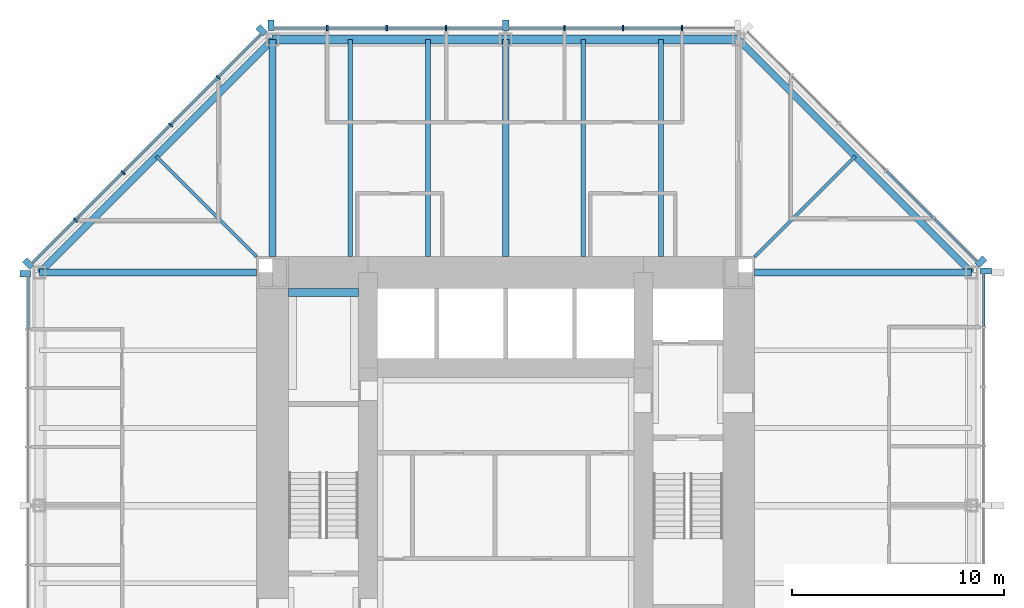
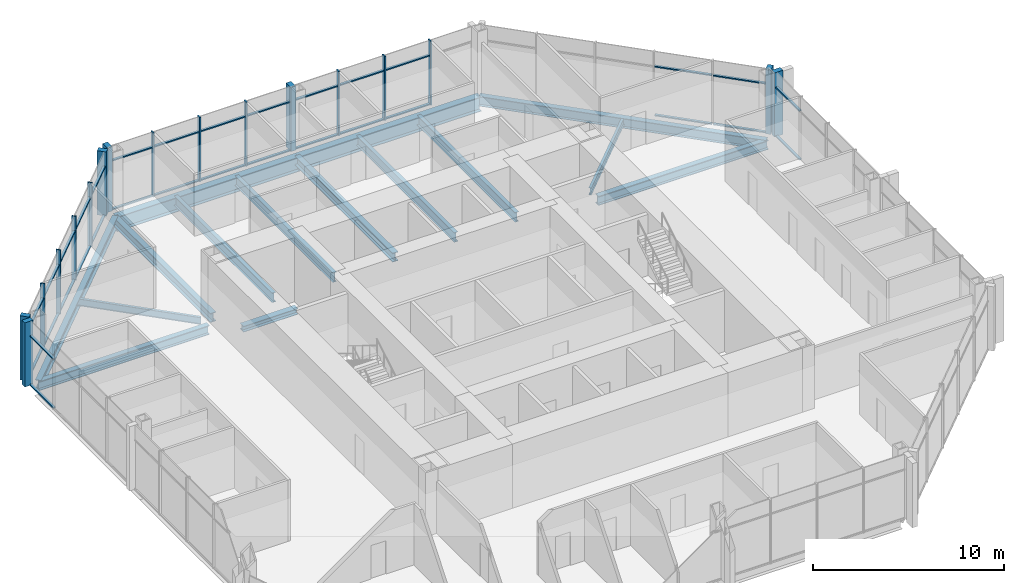
# One storey, part 5 of 12: 49 members, 15 beams, 5 elements without a shape of their own.
"""IFC4 building model written with IfcOpenShell, lengths in metres."""

from ifc_helpers import new_model, si_unit, direction, frame, origin, origin_2d, place, context, subcontext, project, spatial, rectangle, i_section, extrude, material, material_profile, profile_set, type_object, element, aggregate, save


model = new_model("IFC4")

# Units and contexts
model_context = context("Model", 3, precision=1e-05, world=origin(), true_north=direction((0.0, 1.0)))
body_context = subcontext(model_context, "Body", "Model", "MODEL_VIEW")
ifc_project = project(units=[si_unit("LENGTHUNIT", "METRE"), si_unit("AREAUNIT", "SQUARE_METRE"), si_unit("VOLUMEUNIT", "CUBIC_METRE"), si_unit("PLANEANGLEUNIT", "RADIAN"), si_unit("MASSUNIT", "GRAM", prefix="KILO")], contexts=[model_context])

# Site, building, storey
site_placement = place(None, origin())
site = spatial("IfcSite", under=ifc_project, at=site_placement, CompositionType="ELEMENT")
building_placement = place(site_placement, origin())
building = spatial("IfcBuilding", under=site, at=building_placement, Name="Trevanion Tower", CompositionType="ELEMENT")
storey_placement = place(building_placement, frame((0.0, 0.0, 170.5)))
storey = spatial("IfcBuildingStorey", under=building, at=storey_placement, Name="L40", CompositionType="ELEMENT", Elevation=170.5)

# Beams
ifc_material_1 = material(Name="Steel ASTM A992 Grade 50", Category="steel")
ifc_material_profile_1 = material_profile(ifc_material_1, i_section(OverallWidth=0.22900390625, OverallDepth=0.612060546875, WebThickness=0.011962890625, FlangeThickness=0.01953125, at=origin_2d()), Name="W24X84")
ifc_profile_set_1 = profile_set([ifc_material_profile_1], Name="Steel ASTM A992 Grade 50")
beam_type_1 = type_object("IfcBeamType", Name="B7 W24X84", PredefinedType="BEAM", material=ifc_profile_set_1)
for number, where, z_axis, x_axis, name in (
    (1, (7.333251953125, 11.75, -0.49609375), (0.0, 1.0, 0.0), (-1.0, 0.0, 0.0), "B7 L40"),
    (2, (3.666748046875, 11.75, -0.49609375), (0.0, 1.0, 0.0), (-1.0, 0.0, 0.0), "B7 L40"),
    (3, (-3.666748046875, 11.75, -0.49609375), (0.0, 1.0, 0.0), (-1.0, 0.0, 0.0), "B7 L40"),
    (4, (-7.333251953125, 11.75, -0.49609375), (0.0, 1.0, 0.0), (-1.0, 0.0, 0.0), "B7 L40"),
):
    element("IfcBeam", number, at=place(storey_placement, frame(where, z_axis=z_axis, x_axis=x_axis)), inside=storey, type_object=beam_type_1, Name=name, PredefinedType="BEAM", context=body_context, shape_type="SweptSolid", body=[
        extrude(i_section(OverallWidth=0.22900390625, OverallDepth=0.612060546875, WebThickness=0.011962890625, FlangeThickness=0.01953125, at=origin_2d()), origin(), (0.0, 0.0, 1.0), 10.25),
    ])
ifc_material_2 = material(Name="Steel ASTM A992 Grade 50", Category="steel")
ifc_material_profile_2 = material_profile(ifc_material_2, i_section(OverallWidth=0.15234375, OverallDepth=0.449462890625, WebThickness=0.007568359375, FlangeThickness=0.0107421875, at=origin_2d()), Name="W18X35")
ifc_profile_set_2 = profile_set([ifc_material_profile_2], Name="Steel ASTM A992 Grade 50")
beam_type_2 = type_object("IfcBeamType", Name="B8 W18X35", PredefinedType="BEAM", material=ifc_profile_set_2)
for number, where, z_axis, x_axis, name in (
    (5, (11.75, 11.75, -0.414794921875), (0.707106781187, 0.707106781187, 0.0), (-0.707106781187, 0.707106781187, 0.0), "B8 L40"),
    (6, (-11.75, 11.75, -0.414794921875), (-0.707106781187, 0.707106781187, 0.0), (-0.707106781187, -0.707106781187, 0.0), "B8 L40"),
):
    element("IfcBeam", number, at=place(storey_placement, frame(where, z_axis=z_axis, x_axis=x_axis)), inside=storey, type_object=beam_type_2, Name=name, PredefinedType="BEAM", context=body_context, shape_type="SweptSolid", body=[
        extrude(i_section(OverallWidth=0.15234375, OverallDepth=0.449462890625, WebThickness=0.007568359375, FlangeThickness=0.0107421875, at=origin_2d()), origin(), (0.0, 0.0, 1.0), 6.717529296875),
    ])

# Curtain wall, members
ifc_material_3 = material(Name="Aluminium and glass", Category="aluminium")
curtain_wall_type = type_object("IfcCurtainWallType", Name="CW2 curtain wall", PredefinedType="USERDEFINED", material=ifc_material_3)
curtain_wall_1_placement = place(storey_placement, origin())
curtain_wall_1 = element("IfcCurtainWall", 7, at=curtain_wall_1_placement, inside=storey, type_object=curtain_wall_type, Name="CW2 L40 2", ObjectType="UNITISED CURTAIN WALL", PredefinedType="USERDEFINED")
ifc_material_4 = material(Name="Aluminium extrusion, anodised bronze", Category="aluminium")
ifc_material_profile_3 = material_profile(ifc_material_4, rectangle(XDim=0.074951171875, YDim=0.25, at=origin_2d()), Name="CW2 mullion")
ifc_profile_set_3 = profile_set([ifc_material_profile_3], Name="Aluminium extrusion, anodised bronze")
member_type_1 = type_object("IfcMemberType", Name="CW2 mullion", PredefinedType="MULLION", material=ifc_profile_set_3)
member_1_placement = place(storey_placement, frame((8.323486328125, 22.550048828125, -0.18994140625), z_axis=(0.0, 0.0, 1.0), x_axis=(-1.0, 0.0, 0.0)))
member_1 = element("IfcMember", 8, at=member_1_placement, type_object=member_type_1, Name="CW2 mullion 2", PredefinedType="MULLION", context=body_context, shape_type="SweptSolid", body=[
    extrude(rectangle(XDim=0.074951171875, YDim=0.25, at=origin_2d()), origin(), (0.0, 0.0, 1.0), 4.099853515625),
])
member_2_placement = place(storey_placement, frame((5.548828125, 22.550048828125, -0.18994140625), z_axis=(0.0, 0.0, 1.0), x_axis=(-1.0, 0.0, 0.0)))
member_2 = element("IfcMember", 9, at=member_2_placement, type_object=member_type_1, Name="CW2 mullion 3", PredefinedType="MULLION", context=body_context, shape_type="SweptSolid", body=[
    extrude(rectangle(XDim=0.074951171875, YDim=0.25, at=origin_2d()), origin(), (0.0, 0.0, 1.0), 4.099853515625),
])
member_3_placement = place(storey_placement, frame((2.7744140625, 22.550048828125, -0.18994140625), z_axis=(0.0, 0.0, 1.0), x_axis=(-1.0, 0.0, 0.0)))
member_3 = element("IfcMember", 10, at=member_3_placement, type_object=member_type_1, Name="CW2 mullion 4", PredefinedType="MULLION", context=body_context, shape_type="SweptSolid", body=[
    extrude(rectangle(XDim=0.074951171875, YDim=0.25, at=origin_2d()), origin(), (0.0, 0.0, 1.0), 4.099853515625),
])
member_4_placement = place(storey_placement, frame((-2.806884765625, 22.550048828125, -0.18994140625), z_axis=(0.0, 0.0, 1.0), x_axis=(-1.0, 0.0, 0.0)))
member_4 = element("IfcMember", 11, at=member_4_placement, type_object=member_type_1, Name="CW2 mullion 6", PredefinedType="MULLION", context=body_context, shape_type="SweptSolid", body=[
    extrude(rectangle(XDim=0.074951171875, YDim=0.25, at=origin_2d()), origin(), (0.0, 0.0, 1.0), 4.099853515625),
])
member_5_placement = place(storey_placement, frame((-5.614013671875, 22.550048828125, -0.18994140625), z_axis=(0.0, 0.0, 1.0), x_axis=(-1.0, 0.0, 0.0)))
member_5 = element("IfcMember", 12, at=member_5_placement, type_object=member_type_1, Name="CW2 mullion 7", PredefinedType="MULLION", context=body_context, shape_type="SweptSolid", body=[
    extrude(rectangle(XDim=0.074951171875, YDim=0.25, at=origin_2d()), origin(), (0.0, 0.0, 1.0), 4.099853515625),
])
member_6_placement = place(storey_placement, frame((-8.4208984375, 22.550048828125, -0.18994140625), z_axis=(0.0, 0.0, 1.0), x_axis=(-1.0, 0.0, 0.0)))
member_6 = element("IfcMember", 13, at=member_6_placement, type_object=member_type_1, Name="CW2 mullion 8", PredefinedType="MULLION", context=body_context, shape_type="SweptSolid", body=[
    extrude(rectangle(XDim=0.074951171875, YDim=0.25, at=origin_2d()), origin(), (0.0, 0.0, 1.0), 4.099853515625),
])

curtain_wall_2_placement = place(storey_placement, origin())
curtain_wall_2 = element("IfcCurtainWall", 14, at=curtain_wall_2_placement, inside=storey, type_object=curtain_wall_type, Name="CW2 L40 3", ObjectType="UNITISED CURTAIN WALL", PredefinedType="USERDEFINED")
member_7_placement = place(storey_placement, frame((-13.56591796875, 20.2119140625, -0.18994140625), z_axis=(0.0, 0.0, 1.0), x_axis=(-0.707106781187, -0.707106781187, 0.0)))
member_7 = element("IfcMember", 15, at=member_7_placement, type_object=member_type_1, Name="CW2 mullion 2", PredefinedType="MULLION", context=body_context, shape_type="SweptSolid", body=[
    extrude(rectangle(XDim=0.074951171875, YDim=0.25, at=origin_2d()), origin(), (0.0, 0.0, 1.0), 4.099853515625),
])
member_8_placement = place(storey_placement, frame((-15.811767578125, 17.966064453125, -0.18994140625), z_axis=(0.0, 0.0, 1.0), x_axis=(-0.707106781187, -0.707106781187, 0.0)))
member_8 = element("IfcMember", 16, at=member_8_placement, type_object=member_type_1, Name="CW2 mullion 3", PredefinedType="MULLION", context=body_context, shape_type="SweptSolid", body=[
    extrude(rectangle(XDim=0.074951171875, YDim=0.25, at=origin_2d()), origin(), (0.0, 0.0, 1.0), 4.099853515625),
])
member_9_placement = place(storey_placement, frame((-18.057861328125, 15.719970703125, -0.18994140625), z_axis=(0.0, 0.0, 1.0), x_axis=(-0.707106781187, -0.707106781187, 0.0)))
member_9 = element("IfcMember", 17, at=member_9_placement, type_object=member_type_1, Name="CW2 mullion 4", PredefinedType="MULLION", context=body_context, shape_type="SweptSolid", body=[
    extrude(rectangle(XDim=0.074951171875, YDim=0.25, at=origin_2d()), origin(), (0.0, 0.0, 1.0), 4.099853515625),
])
member_10_placement = place(storey_placement, frame((-20.303955078125, 13.473876953125, -0.18994140625), z_axis=(0.0, 0.0, 1.0), x_axis=(-0.707106781187, -0.707106781187, 0.0)))
member_10 = element("IfcMember", 18, at=member_10_placement, type_object=member_type_1, Name="CW2 mullion 5", PredefinedType="MULLION", context=body_context, shape_type="SweptSolid", body=[
    extrude(rectangle(XDim=0.074951171875, YDim=0.25, at=origin_2d()), origin(), (0.0, 0.0, 1.0), 4.099853515625),
])

# Curtain wall, member
curtain_wall_3_placement = place(storey_placement, origin())
curtain_wall_3 = element("IfcCurtainWall", 19, at=curtain_wall_3_placement, inside=storey, type_object=curtain_wall_type, Name="CW2 L40 0", ObjectType="UNITISED CURTAIN WALL", PredefinedType="USERDEFINED")
ifc_material_5 = material(Name="Aluminium extrusion, anodised bronze", Category="aluminium")
ifc_material_profile_4 = material_profile(ifc_material_5, rectangle(XDim=0.300048828125, YDim=0.5, at=origin_2d()), Name="CW2 pier mullion")
ifc_profile_set_4 = profile_set([ifc_material_profile_4], Name="Aluminium extrusion, anodised bronze")
member_type_2 = type_object("IfcMemberType", Name="CW2 pier mullion", PredefinedType="MULLION", material=ifc_profile_set_4)
member_11_placement = place(storey_placement, frame((22.675048828125, 11.077880859375, -0.18994140625), z_axis=(0.0, 0.0, 1.0), x_axis=(0.0, 1.0, 0.0)))
member_11 = element("IfcMember", 20, at=member_11_placement, type_object=member_type_2, Name="CW2 pier mullion 9", PredefinedType="MULLION", context=body_context, shape_type="SweptSolid", body=[
    extrude(rectangle(XDim=0.300048828125, YDim=0.5, at=origin_2d()), origin(), (0.0, 0.0, 1.0), 4.099853515625),
])

curtain_wall_4_placement = place(storey_placement, origin())
curtain_wall_4 = element("IfcCurtainWall", 21, at=curtain_wall_4_placement, inside=storey, type_object=curtain_wall_type, Name="CW2 L40 1", ObjectType="UNITISED CURTAIN WALL", PredefinedType="USERDEFINED")
member_12_placement = place(storey_placement, frame((22.4404296875, 11.51416015625, -0.18994140625), z_axis=(0.0, 0.0, 1.0), x_axis=(-0.707106781187, 0.707106781187, 0.0)))
member_12 = element("IfcMember", 22, at=member_12_placement, type_object=member_type_2, Name="CW2 pier mullion 1", PredefinedType="MULLION", context=body_context, shape_type="SweptSolid", body=[
    extrude(rectangle(XDim=0.300048828125, YDim=0.5, at=origin_2d()), origin(), (0.0, 0.0, 1.0), 4.099853515625),
])

# Member
member_13_placement = place(storey_placement, frame((0.0, 22.675048828125, -0.18994140625), z_axis=(0.0, 0.0, 1.0), x_axis=(-1.0, 0.0, 0.0)))
member_13 = element("IfcMember", 23, at=member_13_placement, type_object=member_type_2, Name="CW2 pier mullion 5", PredefinedType="MULLION", context=body_context, shape_type="SweptSolid", body=[
    extrude(rectangle(XDim=0.300048828125, YDim=0.5, at=origin_2d()), origin(), (0.0, 0.0, 1.0), 4.099853515625),
])

member_14_placement = place(storey_placement, frame((-11.077880859375, 22.675048828125, -0.18994140625), z_axis=(0.0, 0.0, 1.0), x_axis=(-1.0, 0.0, 0.0)))
member_14 = element("IfcMember", 24, at=member_14_placement, type_object=member_type_2, Name="CW2 pier mullion 9", PredefinedType="MULLION", context=body_context, shape_type="SweptSolid", body=[
    extrude(rectangle(XDim=0.300048828125, YDim=0.5, at=origin_2d()), origin(), (0.0, 0.0, 1.0), 4.099853515625),
])

member_15_placement = place(storey_placement, frame((-11.51416015625, 22.4404296875, -0.18994140625), z_axis=(0.0, 0.0, 1.0), x_axis=(-0.707106781187, -0.707106781187, 0.0)))
member_15 = element("IfcMember", 25, at=member_15_placement, type_object=member_type_2, Name="CW2 pier mullion 1", PredefinedType="MULLION", context=body_context, shape_type="SweptSolid", body=[
    extrude(rectangle(XDim=0.300048828125, YDim=0.5, at=origin_2d()), origin(), (0.0, 0.0, 1.0), 4.099853515625),
])

member_16_placement = place(storey_placement, frame((-22.5322265625, 11.42236328125, -0.18994140625), z_axis=(0.0, 0.0, 1.0), x_axis=(-0.707106781187, -0.707106781187, 0.0)))
member_16 = element("IfcMember", 26, at=member_16_placement, type_object=member_type_2, Name="CW2 pier mullion 6", PredefinedType="MULLION", context=body_context, shape_type="SweptSolid", body=[
    extrude(rectangle(XDim=0.300048828125, YDim=0.5, at=origin_2d()), origin(), (0.0, 0.0, 1.0), 4.099853515625),
])

# Curtain wall, member
curtain_wall_5_placement = place(storey_placement, origin())
curtain_wall_5 = element("IfcCurtainWall", 27, at=curtain_wall_5_placement, inside=storey, type_object=curtain_wall_type, Name="CW2 L40 4", ObjectType="UNITISED CURTAIN WALL", PredefinedType="USERDEFINED")
member_17_placement = place(storey_placement, frame((-22.675048828125, 10.94775390625, -0.18994140625), z_axis=(0.0, 0.0, 1.0), x_axis=(0.0, -1.0, 0.0)))
member_17 = element("IfcMember", 28, at=member_17_placement, type_object=member_type_2, Name="CW2 pier mullion 1", PredefinedType="MULLION", context=body_context, shape_type="SweptSolid", body=[
    extrude(rectangle(XDim=0.300048828125, YDim=0.5, at=origin_2d()), origin(), (0.0, 0.0, 1.0), 4.099853515625),
])

# Member
ifc_material_6 = material(Name="Aluminium extrusion, anodised bronze", Category="aluminium")
ifc_material_profile_5 = material_profile(ifc_material_6, rectangle(XDim=0.14990234375, YDim=0.074951171875, at=origin_2d()), Name="CW2 transom")
ifc_profile_set_5 = profile_set([ifc_material_profile_5], Name="Aluminium extrusion, anodised bronze")
member_type_3 = type_object("IfcMemberType", Name="CW2 transom", PredefinedType="USERDEFINED", material=ifc_profile_set_5)
member_18_placement = place(storey_placement, frame((22.550048828125, 8.45849609375, -0.152587890625), z_axis=(0.0, 1.0, 0.0), x_axis=(-1.0, 0.0, 0.0)))
member_18 = element("IfcMember", 29, at=member_18_placement, type_object=member_type_3, Name="CW2 transom 8.1", ObjectType="TRANSOM", PredefinedType="USERDEFINED", context=body_context, shape_type="SweptSolid", body=[
    extrude(rectangle(XDim=0.14990234375, YDim=0.074951171875, at=origin_2d()), origin(), (0.0, 0.0, 1.0), 2.46923828125),
])

member_19_placement = place(storey_placement, frame((22.550048828125, 8.45849609375, 2.9599609375), z_axis=(0.0, 1.0, 0.0), x_axis=(-1.0, 0.0, 0.0)))
member_19 = element("IfcMember", 30, at=member_19_placement, type_object=member_type_3, Name="CW2 transom 8.2", ObjectType="TRANSOM", PredefinedType="USERDEFINED", context=body_context, shape_type="SweptSolid", body=[
    extrude(rectangle(XDim=0.14990234375, YDim=0.074951171875, at=origin_2d()), origin(), (0.0, 0.0, 1.0), 2.46923828125),
])

aggregate(curtain_wall_3, [member_11, member_18, member_19])

member_20_placement = place(storey_placement, frame((22.245849609375, 11.531982421875, -0.152587890625), z_axis=(-0.707106781187, 0.707106781187, 0.0), x_axis=(-0.707106781187, -0.707106781187, 0.0)))
member_20 = element("IfcMember", 31, at=member_20_placement, type_object=member_type_3, Name="CW2 transom 1.1", ObjectType="TRANSOM", PredefinedType="USERDEFINED", context=body_context, shape_type="SweptSolid", body=[
    extrude(rectangle(XDim=0.14990234375, YDim=0.074951171875, at=origin_2d()), origin(), (0.0, 0.0, 1.0), 2.8388671875),
])

member_21_placement = place(storey_placement, frame((22.245849609375, 11.531982421875, 2.9599609375), z_axis=(-0.707106781187, 0.707106781187, 0.0), x_axis=(-0.707106781187, -0.707106781187, 0.0)))
member_21 = element("IfcMember", 32, at=member_21_placement, type_object=member_type_3, Name="CW2 transom 1.2", ObjectType="TRANSOM", PredefinedType="USERDEFINED", context=body_context, shape_type="SweptSolid", body=[
    extrude(rectangle(XDim=0.14990234375, YDim=0.074951171875, at=origin_2d()), origin(), (0.0, 0.0, 1.0), 2.8388671875),
])

member_22_placement = place(storey_placement, frame((20.185546875, 13.59228515625, -0.152587890625), z_axis=(-0.707106781187, 0.707106781187, 0.0), x_axis=(-0.707106781187, -0.707106781187, 0.0)))
member_22 = element("IfcMember", 33, at=member_22_placement, type_object=member_type_3, Name="CW2 transom 2.1", ObjectType="TRANSOM", PredefinedType="USERDEFINED", context=body_context, shape_type="SweptSolid", body=[
    extrude(rectangle(XDim=0.14990234375, YDim=0.074951171875, at=origin_2d()), origin(), (0.0, 0.0, 1.0), 3.1015625),
])

member_23_placement = place(storey_placement, frame((20.185546875, 13.59228515625, 2.9599609375), z_axis=(-0.707106781187, 0.707106781187, 0.0), x_axis=(-0.707106781187, -0.707106781187, 0.0)))
member_23 = element("IfcMember", 34, at=member_23_placement, type_object=member_type_3, Name="CW2 transom 2.2", ObjectType="TRANSOM", PredefinedType="USERDEFINED", context=body_context, shape_type="SweptSolid", body=[
    extrude(rectangle(XDim=0.14990234375, YDim=0.074951171875, at=origin_2d()), origin(), (0.0, 0.0, 1.0), 3.1015625),
])

aggregate(curtain_wall_4, [member_12, member_20, member_21, member_22, member_23])

member_24_placement = place(storey_placement, frame((8.285888671875, 22.550048828125, -0.152587890625), z_axis=(-1.0, 0.0, 0.0), x_axis=(0.0, -1.0, 0.0)))
member_24 = element("IfcMember", 35, at=member_24_placement, type_object=member_type_3, Name="CW2 transom 2.1", ObjectType="TRANSOM", PredefinedType="USERDEFINED", context=body_context, shape_type="SweptSolid", body=[
    extrude(rectangle(XDim=0.14990234375, YDim=0.074951171875, at=origin_2d()), origin(), (0.0, 0.0, 1.0), 2.699462890625),
])

member_25_placement = place(storey_placement, frame((8.285888671875, 22.550048828125, 2.9599609375), z_axis=(-1.0, 0.0, 0.0), x_axis=(0.0, -1.0, 0.0)))
member_25 = element("IfcMember", 36, at=member_25_placement, type_object=member_type_3, Name="CW2 transom 2.2", ObjectType="TRANSOM", PredefinedType="USERDEFINED", context=body_context, shape_type="SweptSolid", body=[
    extrude(rectangle(XDim=0.14990234375, YDim=0.074951171875, at=origin_2d()), origin(), (0.0, 0.0, 1.0), 2.699462890625),
])

member_26_placement = place(storey_placement, frame((5.511474609375, 22.550048828125, -0.152587890625), z_axis=(-1.0, 0.0, 0.0), x_axis=(0.0, -1.0, 0.0)))
member_26 = element("IfcMember", 37, at=member_26_placement, type_object=member_type_3, Name="CW2 transom 3.1", ObjectType="TRANSOM", PredefinedType="USERDEFINED", context=body_context, shape_type="SweptSolid", body=[
    extrude(rectangle(XDim=0.14990234375, YDim=0.074951171875, at=origin_2d()), origin(), (0.0, 0.0, 1.0), 2.699462890625),
])

member_27_placement = place(storey_placement, frame((5.511474609375, 22.550048828125, 2.9599609375), z_axis=(-1.0, 0.0, 0.0), x_axis=(0.0, -1.0, 0.0)))
member_27 = element("IfcMember", 38, at=member_27_placement, type_object=member_type_3, Name="CW2 transom 3.2", ObjectType="TRANSOM", PredefinedType="USERDEFINED", context=body_context, shape_type="SweptSolid", body=[
    extrude(rectangle(XDim=0.14990234375, YDim=0.074951171875, at=origin_2d()), origin(), (0.0, 0.0, 1.0), 2.699462890625),
])

member_28_placement = place(storey_placement, frame((2.737060546875, 22.550048828125, -0.152587890625), z_axis=(-1.0, 0.0, 0.0), x_axis=(0.0, -1.0, 0.0)))
member_28 = element("IfcMember", 39, at=member_28_placement, type_object=member_type_3, Name="CW2 transom 4.1", ObjectType="TRANSOM", PredefinedType="USERDEFINED", context=body_context, shape_type="SweptSolid", body=[
    extrude(rectangle(XDim=0.14990234375, YDim=0.074951171875, at=origin_2d()), origin(), (0.0, 0.0, 1.0), 2.587158203125),
])

member_29_placement = place(storey_placement, frame((2.737060546875, 22.550048828125, 2.9599609375), z_axis=(-1.0, 0.0, 0.0), x_axis=(0.0, -1.0, 0.0)))
member_29 = element("IfcMember", 40, at=member_29_placement, type_object=member_type_3, Name="CW2 transom 4.2", ObjectType="TRANSOM", PredefinedType="USERDEFINED", context=body_context, shape_type="SweptSolid", body=[
    extrude(rectangle(XDim=0.14990234375, YDim=0.074951171875, at=origin_2d()), origin(), (0.0, 0.0, 1.0), 2.587158203125),
])

member_30_placement = place(storey_placement, frame((-0.14990234375, 22.550048828125, -0.152587890625), z_axis=(-1.0, 0.0, 0.0), x_axis=(0.0, -1.0, 0.0)))
member_30 = element("IfcMember", 41, at=member_30_placement, type_object=member_type_3, Name="CW2 transom 5.1", ObjectType="TRANSOM", PredefinedType="USERDEFINED", context=body_context, shape_type="SweptSolid", body=[
    extrude(rectangle(XDim=0.14990234375, YDim=0.074951171875, at=origin_2d()), origin(), (0.0, 0.0, 1.0), 2.619384765625),
])

member_31_placement = place(storey_placement, frame((-0.14990234375, 22.550048828125, 2.9599609375), z_axis=(-1.0, 0.0, 0.0), x_axis=(0.0, -1.0, 0.0)))
member_31 = element("IfcMember", 42, at=member_31_placement, type_object=member_type_3, Name="CW2 transom 5.2", ObjectType="TRANSOM", PredefinedType="USERDEFINED", context=body_context, shape_type="SweptSolid", body=[
    extrude(rectangle(XDim=0.14990234375, YDim=0.074951171875, at=origin_2d()), origin(), (0.0, 0.0, 1.0), 2.619384765625),
])

member_32_placement = place(storey_placement, frame((-2.844482421875, 22.550048828125, -0.152587890625), z_axis=(-1.0, 0.0, 0.0), x_axis=(0.0, -1.0, 0.0)))
member_32 = element("IfcMember", 43, at=member_32_placement, type_object=member_type_3, Name="CW2 transom 6.1", ObjectType="TRANSOM", PredefinedType="USERDEFINED", context=body_context, shape_type="SweptSolid", body=[
    extrude(rectangle(XDim=0.14990234375, YDim=0.074951171875, at=origin_2d()), origin(), (0.0, 0.0, 1.0), 2.73193359375),
])

member_33_placement = place(storey_placement, frame((-2.844482421875, 22.550048828125, 2.9599609375), z_axis=(-1.0, 0.0, 0.0), x_axis=(0.0, -1.0, 0.0)))
member_33 = element("IfcMember", 44, at=member_33_placement, type_object=member_type_3, Name="CW2 transom 6.2", ObjectType="TRANSOM", PredefinedType="USERDEFINED", context=body_context, shape_type="SweptSolid", body=[
    extrude(rectangle(XDim=0.14990234375, YDim=0.074951171875, at=origin_2d()), origin(), (0.0, 0.0, 1.0), 2.73193359375),
])

member_34_placement = place(storey_placement, frame((-5.6513671875, 22.550048828125, -0.152587890625), z_axis=(-1.0, 0.0, 0.0), x_axis=(0.0, -1.0, 0.0)))
member_34 = element("IfcMember", 45, at=member_34_placement, type_object=member_type_3, Name="CW2 transom 7.1", ObjectType="TRANSOM", PredefinedType="USERDEFINED", context=body_context, shape_type="SweptSolid", body=[
    extrude(rectangle(XDim=0.14990234375, YDim=0.074951171875, at=origin_2d()), origin(), (0.0, 0.0, 1.0), 2.73193359375),
])

member_35_placement = place(storey_placement, frame((-5.6513671875, 22.550048828125, 2.9599609375), z_axis=(-1.0, 0.0, 0.0), x_axis=(0.0, -1.0, 0.0)))
member_35 = element("IfcMember", 46, at=member_35_placement, type_object=member_type_3, Name="CW2 transom 7.2", ObjectType="TRANSOM", PredefinedType="USERDEFINED", context=body_context, shape_type="SweptSolid", body=[
    extrude(rectangle(XDim=0.14990234375, YDim=0.074951171875, at=origin_2d()), origin(), (0.0, 0.0, 1.0), 2.73193359375),
])

member_36_placement = place(storey_placement, frame((-8.45849609375, 22.550048828125, -0.152587890625), z_axis=(-1.0, 0.0, 0.0), x_axis=(0.0, -1.0, 0.0)))
member_36 = element("IfcMember", 47, at=member_36_placement, type_object=member_type_3, Name="CW2 transom 8.1", ObjectType="TRANSOM", PredefinedType="USERDEFINED", context=body_context, shape_type="SweptSolid", body=[
    extrude(rectangle(XDim=0.14990234375, YDim=0.074951171875, at=origin_2d()), origin(), (0.0, 0.0, 1.0), 2.46923828125),
])

member_37_placement = place(storey_placement, frame((-8.45849609375, 22.550048828125, 2.9599609375), z_axis=(-1.0, 0.0, 0.0), x_axis=(0.0, -1.0, 0.0)))
member_37 = element("IfcMember", 48, at=member_37_placement, type_object=member_type_3, Name="CW2 transom 8.2", ObjectType="TRANSOM", PredefinedType="USERDEFINED", context=body_context, shape_type="SweptSolid", body=[
    extrude(rectangle(XDim=0.14990234375, YDim=0.074951171875, at=origin_2d()), origin(), (0.0, 0.0, 1.0), 2.46923828125),
])

aggregate(curtain_wall_1, [member_1, member_2, member_3, member_13, member_4, member_5, member_6, member_14, member_24, member_25, member_26, member_27, member_28, member_29, member_30, member_31, member_32, member_33, member_34, member_35, member_36, member_37])

member_38_placement = place(storey_placement, frame((-11.531982421875, 22.245849609375, -0.152587890625), z_axis=(-0.707106781187, -0.707106781187, 0.0), x_axis=(0.707106781187, -0.707106781187, 0.0)))
member_38 = element("IfcMember", 49, at=member_38_placement, type_object=member_type_3, Name="CW2 transom 1.1", ObjectType="TRANSOM", PredefinedType="USERDEFINED", context=body_context, shape_type="SweptSolid", body=[
    extrude(rectangle(XDim=0.14990234375, YDim=0.074951171875, at=origin_2d()), origin(), (0.0, 0.0, 1.0), 2.8388671875),
])

member_39_placement = place(storey_placement, frame((-11.531982421875, 22.245849609375, 2.9599609375), z_axis=(-0.707106781187, -0.707106781187, 0.0), x_axis=(0.707106781187, -0.707106781187, 0.0)))
member_39 = element("IfcMember", 50, at=member_39_placement, type_object=member_type_3, Name="CW2 transom 1.2", ObjectType="TRANSOM", PredefinedType="USERDEFINED", context=body_context, shape_type="SweptSolid", body=[
    extrude(rectangle(XDim=0.14990234375, YDim=0.074951171875, at=origin_2d()), origin(), (0.0, 0.0, 1.0), 2.8388671875),
])

member_40_placement = place(storey_placement, frame((-13.59228515625, 20.185546875, -0.152587890625), z_axis=(-0.707106781187, -0.707106781187, 0.0), x_axis=(0.707106781187, -0.707106781187, 0.0)))
member_40 = element("IfcMember", 51, at=member_40_placement, type_object=member_type_3, Name="CW2 transom 2.1", ObjectType="TRANSOM", PredefinedType="USERDEFINED", context=body_context, shape_type="SweptSolid", body=[
    extrude(rectangle(XDim=0.14990234375, YDim=0.074951171875, at=origin_2d()), origin(), (0.0, 0.0, 1.0), 3.1015625),
])

member_41_placement = place(storey_placement, frame((-13.59228515625, 20.185546875, 2.9599609375), z_axis=(-0.707106781187, -0.707106781187, 0.0), x_axis=(0.707106781187, -0.707106781187, 0.0)))
member_41 = element("IfcMember", 52, at=member_41_placement, type_object=member_type_3, Name="CW2 transom 2.2", ObjectType="TRANSOM", PredefinedType="USERDEFINED", context=body_context, shape_type="SweptSolid", body=[
    extrude(rectangle(XDim=0.14990234375, YDim=0.074951171875, at=origin_2d()), origin(), (0.0, 0.0, 1.0), 3.1015625),
])

member_42_placement = place(storey_placement, frame((-15.83837890625, 17.939453125, -0.152587890625), z_axis=(-0.707106781187, -0.707106781187, 0.0), x_axis=(0.707106781187, -0.707106781187, 0.0)))
member_42 = element("IfcMember", 53, at=member_42_placement, type_object=member_type_3, Name="CW2 transom 3.1", ObjectType="TRANSOM", PredefinedType="USERDEFINED", context=body_context, shape_type="SweptSolid", body=[
    extrude(rectangle(XDim=0.14990234375, YDim=0.074951171875, at=origin_2d()), origin(), (0.0, 0.0, 1.0), 3.1015625),
])

member_43_placement = place(storey_placement, frame((-15.83837890625, 17.939453125, 2.9599609375), z_axis=(-0.707106781187, -0.707106781187, 0.0), x_axis=(0.707106781187, -0.707106781187, 0.0)))
member_43 = element("IfcMember", 54, at=member_43_placement, type_object=member_type_3, Name="CW2 transom 3.2", ObjectType="TRANSOM", PredefinedType="USERDEFINED", context=body_context, shape_type="SweptSolid", body=[
    extrude(rectangle(XDim=0.14990234375, YDim=0.074951171875, at=origin_2d()), origin(), (0.0, 0.0, 1.0), 3.1015625),
])

member_44_placement = place(storey_placement, frame((-18.08447265625, 15.693359375, -0.152587890625), z_axis=(-0.707106781187, -0.707106781187, 0.0), x_axis=(0.707106781187, -0.707106781187, 0.0)))
member_44 = element("IfcMember", 55, at=member_44_placement, type_object=member_type_3, Name="CW2 transom 4.1", ObjectType="TRANSOM", PredefinedType="USERDEFINED", context=body_context, shape_type="SweptSolid", body=[
    extrude(rectangle(XDim=0.14990234375, YDim=0.074951171875, at=origin_2d()), origin(), (0.0, 0.0, 1.0), 3.10107421875),
])

member_45_placement = place(storey_placement, frame((-18.08447265625, 15.693359375, 2.9599609375), z_axis=(-0.707106781187, -0.707106781187, 0.0), x_axis=(0.707106781187, -0.707106781187, 0.0)))
member_45 = element("IfcMember", 56, at=member_45_placement, type_object=member_type_3, Name="CW2 transom 4.2", ObjectType="TRANSOM", PredefinedType="USERDEFINED", context=body_context, shape_type="SweptSolid", body=[
    extrude(rectangle(XDim=0.14990234375, YDim=0.074951171875, at=origin_2d()), origin(), (0.0, 0.0, 1.0), 3.10107421875),
])

member_46_placement = place(storey_placement, frame((-20.33056640625, 13.447509765625, -0.152587890625), z_axis=(-0.707063781595, -0.707149778163, 0.0), x_axis=(0.707149778163, -0.707063781595, 0.0)))
member_46 = element("IfcMember", 57, at=member_46_placement, type_object=member_type_3, Name="CW2 transom 5.1", ObjectType="TRANSOM", PredefinedType="USERDEFINED", context=body_context, shape_type="SweptSolid", body=[
    extrude(rectangle(XDim=0.14990234375, YDim=0.074951171875, at=origin_2d()), origin(), (0.0, 0.0, 1.0), 2.8388671875),
])

member_47_placement = place(storey_placement, frame((-20.33056640625, 13.447509765625, 2.9599609375), z_axis=(-0.707063781595, -0.707149778163, 0.0), x_axis=(0.707149778163, -0.707063781595, 0.0)))
member_47 = element("IfcMember", 58, at=member_47_placement, type_object=member_type_3, Name="CW2 transom 5.2", ObjectType="TRANSOM", PredefinedType="USERDEFINED", context=body_context, shape_type="SweptSolid", body=[
    extrude(rectangle(XDim=0.14990234375, YDim=0.074951171875, at=origin_2d()), origin(), (0.0, 0.0, 1.0), 2.8388671875),
])

aggregate(curtain_wall_2, [member_15, member_7, member_8, member_9, member_10, member_16, member_38, member_39, member_40, member_41, member_42, member_43, member_44, member_45, member_46, member_47])

member_48_placement = place(storey_placement, frame((-22.550048828125, 10.7978515625, -0.152587890625), z_axis=(0.0, -1.0, 0.0), x_axis=(1.0, 0.0, 0.0)))
member_48 = element("IfcMember", 59, at=member_48_placement, type_object=member_type_3, Name="CW2 transom 1.1", ObjectType="TRANSOM", PredefinedType="USERDEFINED", context=body_context, shape_type="SweptSolid", body=[
    extrude(rectangle(XDim=0.14990234375, YDim=0.074951171875, at=origin_2d()), origin(), (0.0, 0.0, 1.0), 2.43701171875),
])

member_49_placement = place(storey_placement, frame((-22.550048828125, 10.7978515625, 2.9599609375), z_axis=(0.0, -1.0, 0.0), x_axis=(1.0, 0.0, 0.0)))
member_49 = element("IfcMember", 60, at=member_49_placement, type_object=member_type_3, Name="CW2 transom 1.2", ObjectType="TRANSOM", PredefinedType="USERDEFINED", context=body_context, shape_type="SweptSolid", body=[
    extrude(rectangle(XDim=0.14990234375, YDim=0.074951171875, at=origin_2d()), origin(), (0.0, 0.0, 1.0), 2.43701171875),
])

aggregate(curtain_wall_5, [member_17, member_48, member_49])

# Beams
ifc_material_7 = material(Name="Steel ASTM A992 Grade 50", Category="steel")
ifc_material_profile_6 = material_profile(ifc_material_7, i_section(OverallWidth=0.320068359375, OverallDepth=0.584228515625, WebThickness=0.023193359375, FlangeThickness=0.04150390625, at=origin_2d()), Name="W21X201")
ifc_profile_set_6 = profile_set([ifc_material_profile_6], Name="Steel ASTM A992 Grade 50")
beam_type_3 = type_object("IfcBeamType", Name="G4 W21X201", PredefinedType="BEAM", material=ifc_profile_set_6)
for number, where, z_axis, x_axis, name in (
    (61, (11.75, 11.0, -0.482177734375), (1.0, 0.0, 0.0), (0.0, 1.0, 0.0), "G4 L40"),
    (62, (0.0, 11.75, -0.482177734375), (0.0, 1.0, 0.0), (-1.0, 0.0, 0.0), "G4 L40"),
    (63, (-11.0, 11.75, -0.482177734375), (0.0, 1.0, 0.0), (-1.0, 0.0, 0.0), "G4 L40"),
    (64, (-11.75, 11.0, -0.482177734375), (-1.0, 0.0, 0.0), (0.0, -1.0, 0.0), "G4 L40"),
):
    element("IfcBeam", number, at=place(storey_placement, frame(where, z_axis=z_axis, x_axis=x_axis)), inside=storey, type_object=beam_type_3, Name=name, PredefinedType="BEAM", context=body_context, shape_type="SweptSolid", body=[
        extrude(i_section(OverallWidth=0.320068359375, OverallDepth=0.584228515625, WebThickness=0.023193359375, FlangeThickness=0.04150390625, at=origin_2d()), origin(), (0.0, 0.0, 1.0), 10.25),
    ])
ifc_material_8 = material(Name="Steel ASTM A992 Grade 50", Category="steel")
ifc_material_profile_7 = material_profile(ifc_material_8, i_section(OverallWidth=0.373291015625, OverallDepth=0.373291015625, WebThickness=0.016357421875, FlangeThickness=0.026123046875, at=origin_2d()), Name="W14X132")
ifc_profile_set_7 = profile_set([ifc_material_profile_7], Name="Steel ASTM A992 Grade 50")
beam_type_4 = type_object("IfcBeamType", Name="LB2 W14X132", PredefinedType="BEAM", material=ifc_profile_set_7)
beam_placement = place(storey_placement, frame((-10.25, 10.063232421875, -0.38671875), z_axis=(1.0, 0.0, 0.0), x_axis=(0.0, 1.0, 0.0)))
element("IfcBeam", 65, at=beam_placement, inside=storey, type_object=beam_type_4, Name="LB2 L40", PredefinedType="BEAM", context=body_context, shape_type="SweptSolid", body=[
    extrude(i_section(OverallWidth=0.373291015625, OverallDepth=0.373291015625, WebThickness=0.016357421875, FlangeThickness=0.026123046875, at=origin_2d()), origin(), (0.0, 0.0, 1.0), 3.300048828125),
])
ifc_material_9 = material(Name="Steel ASTM A992 Grade 50", Category="steel")
ifc_material_profile_8 = material_profile(ifc_material_9, i_section(OverallWidth=0.419189453125, OverallDepth=0.927001953125, WebThickness=0.019287109375, FlangeThickness=0.031982421875, at=origin_2d()), Name="W36X231")
ifc_profile_set_8 = profile_set([ifc_material_profile_8], Name="Steel ASTM A992 Grade 50")
beam_type_5 = type_object("IfcBeamType", Name="SB4 W36X231", PredefinedType="SPANDREL", material=ifc_profile_set_8)
for number, where, z_axis, x_axis, name in (
    (66, (11.0, 22.0, -0.653564453125), (-1.0, 0.0, 0.0), (0.0, -1.0, 0.0), "SB4 L40"),
    (67, (0.0, 22.0, -0.653564453125), (-1.0, 0.0, 0.0), (0.0, -1.0, 0.0), "SB4 L40"),
):
    element("IfcBeam", number, at=place(storey_placement, frame(where, z_axis=z_axis, x_axis=x_axis)), inside=storey, type_object=beam_type_5, Name=name, PredefinedType="SPANDREL", context=body_context, shape_type="SweptSolid", body=[
        extrude(i_section(OverallWidth=0.419189453125, OverallDepth=0.927001953125, WebThickness=0.019287109375, FlangeThickness=0.031982421875, at=origin_2d()), origin(), (0.0, 0.0, 1.0), 11.0),
    ])
ifc_material_10 = material(Name="Steel ASTM A992 Grade 50", Category="steel")
ifc_material_profile_9 = material_profile(ifc_material_10, i_section(OverallWidth=0.32763671875, OverallDepth=0.62744140625, WebThickness=0.0166015625, FlangeThickness=0.027587890625, at=origin_2d()), Name="W24X146")
ifc_profile_set_9 = profile_set([ifc_material_profile_9], Name="Steel ASTM A992 Grade 50")
beam_type_6 = type_object("IfcBeamType", Name="SB5 W24X146", PredefinedType="SPANDREL", material=ifc_profile_set_9)
for number, where, z_axis, x_axis, name in (
    (68, (22.0, 11.0, -0.503662109375), (-0.707106781187, 0.707106781187, 0.0), (-0.707106781187, -0.707106781187, 0.0), "SB5 L40"),
    (69, (-11.0, 22.0, -0.503662109375), (-0.707106781187, -0.707106781187, 0.0), (0.707106781187, -0.707106781187, 0.0), "SB5 L40"),
):
    element("IfcBeam", number, at=place(storey_placement, frame(where, z_axis=z_axis, x_axis=x_axis)), inside=storey, type_object=beam_type_6, Name=name, PredefinedType="SPANDREL", context=body_context, shape_type="SweptSolid", body=[
        extrude(i_section(OverallWidth=0.32763671875, OverallDepth=0.62744140625, WebThickness=0.0166015625, FlangeThickness=0.027587890625, at=origin_2d()), origin(), (0.0, 0.0, 1.0), 15.556396484375),
    ])

save(model, "model.ifc")
